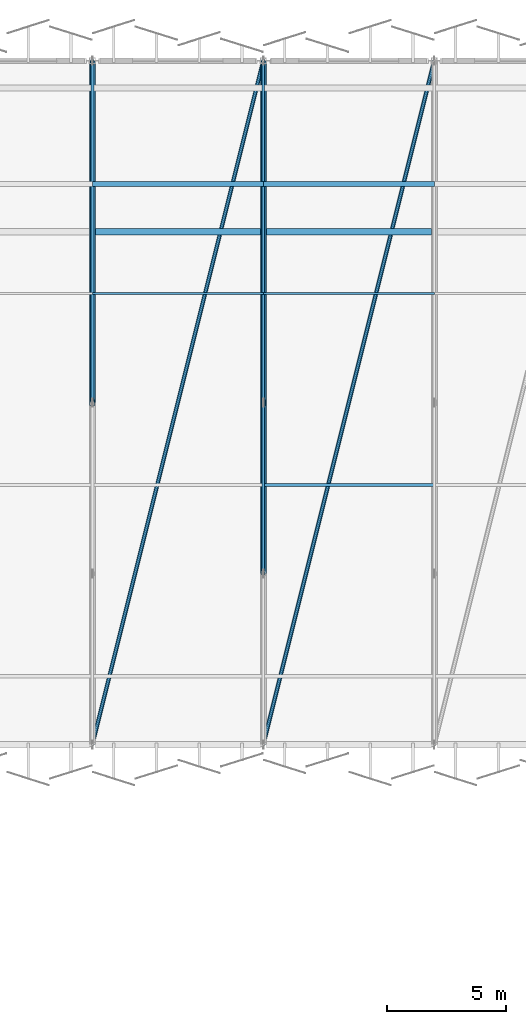
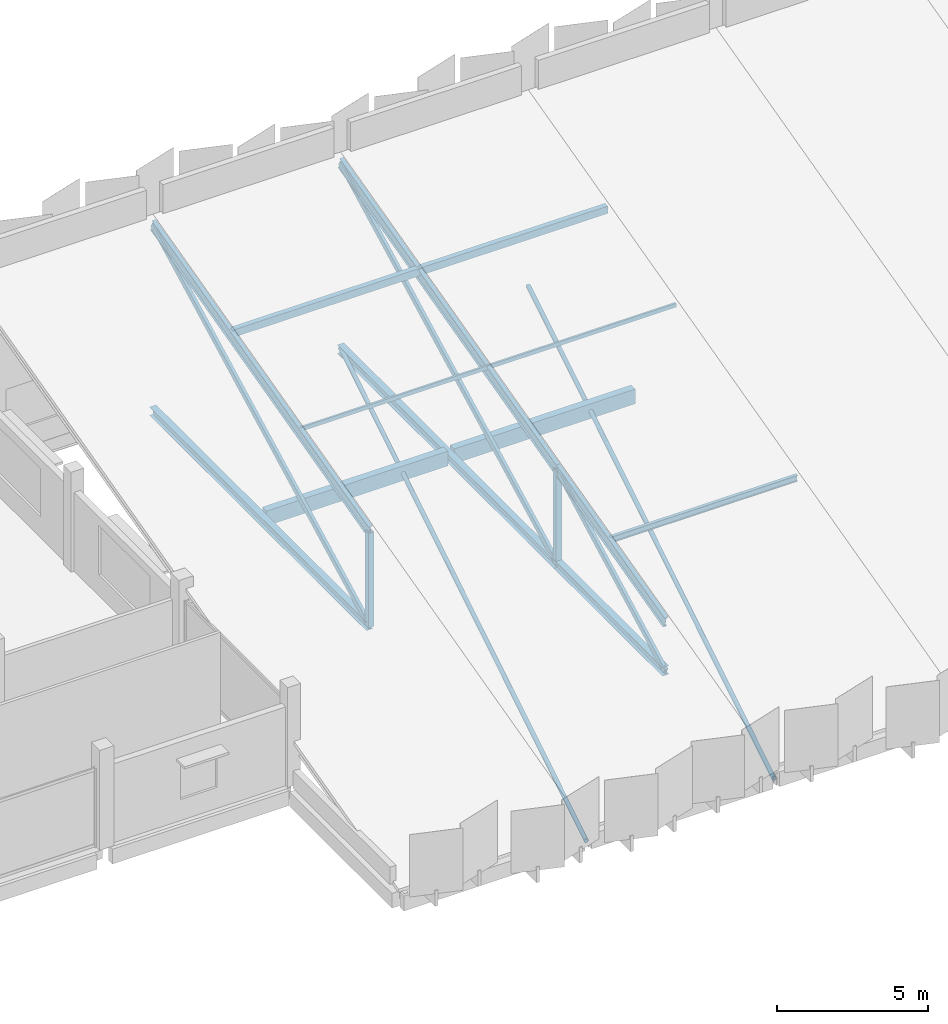
# One storey, part 26 of 108: 18 members, 2 beams.
"""IFC4 building model written with IfcOpenShell, lengths in metres."""

from ifc_helpers import new_model, si_unit, direction, frame, origin, origin_2d, place, context, subcontext, project, spatial, rectangle, hollow_rectangle, hollow_circle, i_section, extrude, material, material_profile, profile_set, type_object, element, save


model = new_model("IFC4")

# Units and contexts
model_context = context("Model", 3, precision=1e-05, world=origin(), true_north=direction((0.0, 1.0)))
body_context = subcontext(model_context, "Body", "Model", "MODEL_VIEW")
ifc_project = project(units=[si_unit("LENGTHUNIT", "METRE"), si_unit("AREAUNIT", "SQUARE_METRE"), si_unit("VOLUMEUNIT", "CUBIC_METRE"), si_unit("PLANEANGLEUNIT", "RADIAN"), si_unit("MASSUNIT", "GRAM", prefix="KILO")], contexts=[model_context])

# Site, building, storey
site_placement = place(None, origin())
site = spatial("IfcSite", under=ifc_project, at=site_placement, CompositionType="ELEMENT")
building_placement = place(site_placement, origin())
building = spatial("IfcBuilding", under=site, at=building_placement, Name="Kangsadwip Square Police Headquarters", CompositionType="ELEMENT")
storey_placement = place(building_placement, frame((0.0, 0.0, 9.449951171875)))
storey = spatial("IfcBuildingStorey", under=building, at=storey_placement, Name="L02", CompositionType="ELEMENT", Elevation=9.449951171875)

# Beams
ifc_material_1 = material(Name="Concrete M40 (40 MPa)", Category="concrete")
ifc_material_profile_1 = material_profile(ifc_material_1, rectangle(XDim=0.280029296875, YDim=0.60009765625, at=origin_2d()), Name="RC SPN 600X280")
ifc_profile_set_1 = profile_set([ifc_material_profile_1], Name="Concrete M40 (40 MPa)")
beam_type = type_object("IfcBeamType", Name="RcSpandrel600x280", PredefinedType="SPANDREL", material=ifc_profile_set_1)
beam_1_placement = place(storey_placement, frame((50.52490234375, 108.0, -0.5400390625), z_axis=(1.0, 0.0, 0.0), x_axis=(0.0, 1.0, 0.0)))
element("IfcBeam", 1, at=beam_1_placement, inside=storey, type_object=beam_type, Name="Beam BM-L02-X-07-15", PredefinedType="SPANDREL", context=body_context, shape_type="SweptSolid", body=[
    extrude(rectangle(XDim=0.280029296875, YDim=0.60009765625, at=origin_2d()), origin(), (0.0, 0.0, 1.0), 6.9501953125),
])
beam_2_placement = place(storey_placement, frame((57.72509765625, 108.0, -0.5400390625), z_axis=(1.0, 0.0, 0.0), x_axis=(0.0, 1.0, 0.0)))
element("IfcBeam", 2, at=beam_2_placement, inside=storey, type_object=beam_type, Name="Beam BM-L02-X-08-15", PredefinedType="SPANDREL", context=body_context, shape_type="SweptSolid", body=[
    extrude(rectangle(XDim=0.280029296875, YDim=0.60009765625, at=origin_2d()), origin(), (0.0, 0.0, 1.0), 6.949951171875),
])

# Members
ifc_material_2 = material(Name="Structural steel IS 2062 E350 (Grade 350, 350 MPa)", Category="steel")
ifc_material_profile_2 = material_profile(ifc_material_2, i_section(OverallWidth=0.125, OverallDepth=0.25, WebThickness=0.0068359375, FlangeThickness=0.012451171875, at=origin_2d()), Name="ISMB 250")
ifc_profile_set_2 = profile_set([ifc_material_profile_2], Name="Structural steel IS 2062 E350 (Grade 350, 350 MPa)")
member_type_1 = type_object("IfcMemberType", Name="RoofPurlinIsmb250", PredefinedType="PURLIN", material=ifc_profile_set_2)
member_1_placement = place(storey_placement, frame((57.60009765625, 97.343994140625, 2.507080078125), z_axis=(1.0, 0.0, 0.0), x_axis=(0.0, 1.0, 0.0)))
element("IfcMember", 3, at=member_1_placement, inside=storey, type_object=member_type_1, Name="Truss Member MEM-L02-0091", PredefinedType="PURLIN", context=body_context, shape_type="SweptSolid", body=[
    extrude(i_section(OverallWidth=0.125, OverallDepth=0.25, WebThickness=0.0068359375, FlangeThickness=0.012451171875, at=origin_2d()), origin(), (0.0, 0.0, 1.0), 7.199951171875),
])
ifc_material_3 = material(Name="Structural steel IS 2062 E350 (Grade 350, 350 MPa)", Category="steel")
ifc_material_profile_3 = material_profile(ifc_material_3, hollow_rectangle(XDim=0.080078125, YDim=0.159912109375, WallThickness=0.006103515625, at=origin_2d()), Name="RHS 160X80X6")
ifc_profile_set_3 = profile_set([ifc_material_profile_3], Name="Structural steel IS 2062 E350 (Grade 350, 350 MPa)")
member_type_2 = type_object("IfcMemberType", Name="RoofPurlinRhs160", PredefinedType="PURLIN", material=ifc_profile_set_3)
member_2_placement = place(storey_placement, frame((50.39990234375, 105.407958984375, 4.6240234375), z_axis=(1.0, 0.0, 0.0), x_axis=(0.0, 1.0, 0.0)))
element("IfcMember", 4, at=member_2_placement, inside=storey, type_object=member_type_2, Name="Truss Member MEM-L02-0086", PredefinedType="PURLIN", context=body_context, shape_type="SweptSolid", body=[
    extrude(hollow_rectangle(XDim=0.080078125, YDim=0.159912109375, WallThickness=0.006103515625, at=origin_2d()), origin(), (0.0, 0.0, 1.0), 7.2001953125),
])
member_3_placement = place(storey_placement, frame((57.60009765625, 105.407958984375, 4.6240234375), z_axis=(1.0, 0.0, 0.0), x_axis=(0.0, 1.0, 0.0)))
element("IfcMember", 5, at=member_3_placement, inside=storey, type_object=member_type_2, Name="Truss Member MEM-L02-0092", PredefinedType="PURLIN", context=body_context, shape_type="SweptSolid", body=[
    extrude(hollow_rectangle(XDim=0.080078125, YDim=0.159912109375, WallThickness=0.006103515625, at=origin_2d()), origin(), (0.0, 0.0, 1.0), 7.199951171875),
])
ifc_material_4 = material(Name="Structural steel IS 2062 E350 (Grade 350, 350 MPa)", Category="steel")
ifc_material_profile_4 = material_profile(ifc_material_4, hollow_rectangle(XDim=0.199951171875, YDim=0.300048828125, WallThickness=0.011962890625, at=origin_2d()), Name="RHS 300X200X12")
ifc_profile_set_4 = profile_set([ifc_material_profile_4], Name="Structural steel IS 2062 E350 (Grade 350, 350 MPa)")
member_type_3 = type_object("IfcMemberType", Name="RoofPurlinRhs300", PredefinedType="PURLIN", material=ifc_profile_set_4)
member_4_placement = place(storey_placement, frame((50.39990234375, 110.01611328125, 5.738037109375), z_axis=(1.0, 0.0, 0.0), x_axis=(0.0, 1.0, 0.0)))
element("IfcMember", 6, at=member_4_placement, inside=storey, type_object=member_type_3, Name="Truss Member MEM-L02-0087", PredefinedType="PURLIN", context=body_context, shape_type="SweptSolid", body=[
    extrude(hollow_rectangle(XDim=0.199951171875, YDim=0.300048828125, WallThickness=0.011962890625, at=origin_2d()), origin(), (0.0, 0.0, 1.0), 7.2001953125),
])
member_5_placement = place(storey_placement, frame((57.60009765625, 110.01611328125, 5.738037109375), z_axis=(1.0, 0.0, 0.0), x_axis=(0.0, 1.0, 0.0)))
element("IfcMember", 7, at=member_5_placement, inside=storey, type_object=member_type_3, Name="Truss Member MEM-L02-0093", PredefinedType="PURLIN", context=body_context, shape_type="SweptSolid", body=[
    extrude(hollow_rectangle(XDim=0.199951171875, YDim=0.300048828125, WallThickness=0.011962890625, at=origin_2d()), origin(), (0.0, 0.0, 1.0), 7.199951171875),
])
ifc_material_5 = material(Name="Structural steel IS 2062 E350 (Grade 350, 350 MPa)", Category="steel")
ifc_material_profile_5 = material_profile(ifc_material_5, hollow_circle(Radius=0.083984375, WallThickness=0.008056640625, at=origin_2d()), Name="CHS 168X8")
ifc_profile_set_5 = profile_set([ifc_material_profile_5], Name="Structural steel IS 2062 E350 (Grade 350, 350 MPa)")
member_type_4 = type_object("IfcMemberType", Name="RoofWindBraceChs168", PredefinedType="BRACE", material=ifc_profile_set_5)
member_6_placement = place(storey_placement, frame((50.39990234375, 86.39990234375, -0.550048828125), z_axis=(0.24254143019, 0.970141048838, 0.0), x_axis=(-0.970141048838, 0.24254143019, 0.0)))
element("IfcMember", 8, at=member_6_placement, inside=storey, type_object=member_type_4, Name="Truss Member MEM-L02-0089", PredefinedType="BRACE", context=body_context, shape_type="SweptSolid", body=[
    extrude(hollow_circle(Radius=0.083984375, WallThickness=0.008056640625, at=origin_2d()), origin(), (0.0, 0.0, 1.0), 29.6865234375),
])
member_7_placement = place(storey_placement, frame((57.60009765625, 86.39990234375, -0.550048828125), z_axis=(0.242533689979, 0.970142983908, 0.0), x_axis=(-0.970142983908, 0.242533689979, 0.0)))
element("IfcMember", 9, at=member_7_placement, inside=storey, type_object=member_type_4, Name="Truss Member MEM-L02-0095", PredefinedType="BRACE", context=body_context, shape_type="SweptSolid", body=[
    extrude(hollow_circle(Radius=0.083984375, WallThickness=0.008056640625, at=origin_2d()), origin(), (0.0, 0.0, 1.0), 29.686279296875),
])
ifc_material_6 = material(Name="Structural steel IS 2062 E350 (Grade 350, 350 MPa)", Category="steel")
ifc_material_profile_6 = material_profile(ifc_material_6, i_section(OverallWidth=0.14990234375, OverallDepth=0.449951171875, WebThickness=0.009521484375, FlangeThickness=0.017333984375, at=origin_2d()), Name="ISMB 450")
ifc_profile_set_6 = profile_set([ifc_material_profile_6], Name="Structural steel IS 2062 E350 (Grade 350, 350 MPa)")
member_type_5 = type_object("IfcMemberType", Name="SawtoothRafterIsmb450", PredefinedType="RAFTER", material=ifc_profile_set_6)
member_8_placement = place(storey_placement, frame((50.39990234375, 100.800048828125, 3.280029296875), z_axis=(0.0, 0.968539651086, 0.248859286091), x_axis=(-1.0, 0.0, 0.0)))
element("IfcMember", 10, at=member_8_placement, inside=storey, type_object=member_type_5, Name="Truss Member MEM-L02-0009", PredefinedType="RAFTER", context=body_context, shape_type="SweptSolid", body=[
    extrude(i_section(OverallWidth=0.14990234375, OverallDepth=0.449951171875, WebThickness=0.009521484375, FlangeThickness=0.017333984375, at=origin_2d()), origin(), (0.0, 0.0, 1.0), 14.86767578125),
])
member_9_placement = place(storey_placement, frame((57.60009765625, 93.60009765625, 1.429931640625), z_axis=(0.0, 0.96853569304, 0.248874689968), x_axis=(-1.0, 0.0, 0.0)))
element("IfcMember", 11, at=member_9_placement, inside=storey, type_object=member_type_5, Name="Truss Member MEM-L02-0020", PredefinedType="RAFTER", context=body_context, shape_type="SweptSolid", body=[
    extrude(i_section(OverallWidth=0.14990234375, OverallDepth=0.449951171875, WebThickness=0.009521484375, FlangeThickness=0.017333984375, at=origin_2d()), origin(), (0.0, 0.0, 1.0), 7.433837890625),
])
member_10_placement = place(storey_placement, frame((57.60009765625, 100.800048828125, 3.280029296875), z_axis=(0.0, 0.968539651086, 0.248859286091), x_axis=(-1.0, 0.0, 0.0)))
element("IfcMember", 12, at=member_10_placement, inside=storey, type_object=member_type_5, Name="Truss Member MEM-L02-0021", PredefinedType="RAFTER", context=body_context, shape_type="SweptSolid", body=[
    extrude(i_section(OverallWidth=0.14990234375, OverallDepth=0.449951171875, WebThickness=0.009521484375, FlangeThickness=0.017333984375, at=origin_2d()), origin(), (0.0, 0.0, 1.0), 14.86767578125),
])
ifc_material_7 = material(Name="Structural steel IS 2062 E350 (Grade 350, 350 MPa)", Category="steel")
ifc_material_profile_7 = material_profile(ifc_material_7, i_section(OverallWidth=0.25, OverallDepth=0.35009765625, WebThickness=0.010009765625, FlangeThickness=0.01171875, at=origin_2d()), Name="ISHB 350")
ifc_profile_set_7 = profile_set([ifc_material_profile_7], Name="Structural steel IS 2062 E350 (Grade 350, 350 MPa)")
member_type_6 = type_object("IfcMemberType", Name="TrussBotChordIshb350", PredefinedType="CHORD", material=ifc_profile_set_7)
member_11_placement = place(storey_placement, frame((50.39990234375, 100.800048828125, -0.550048828125), z_axis=(0.0, 1.0, 0.0), x_axis=(-1.0, 0.0, 0.0)))
element("IfcMember", 13, at=member_11_placement, inside=storey, type_object=member_type_6, Name="Truss Member MEM-L02-0006", PredefinedType="CHORD", context=body_context, shape_type="SweptSolid", body=[
    extrude(i_section(OverallWidth=0.25, OverallDepth=0.35009765625, WebThickness=0.010009765625, FlangeThickness=0.01171875, at=origin_2d()), origin(), (0.0, 0.0, 1.0), 14.39990234375),
])
member_12_placement = place(storey_placement, frame((57.60009765625, 93.60009765625, -0.550048828125), z_axis=(0.0, 1.0, 0.0), x_axis=(-1.0, 0.0, 0.0)))
element("IfcMember", 14, at=member_12_placement, inside=storey, type_object=member_type_6, Name="Truss Member MEM-L02-0017", PredefinedType="CHORD", context=body_context, shape_type="SweptSolid", body=[
    extrude(i_section(OverallWidth=0.25, OverallDepth=0.35009765625, WebThickness=0.010009765625, FlangeThickness=0.01171875, at=origin_2d()), origin(), (0.0, 0.0, 1.0), 7.199951171875),
])
member_13_placement = place(storey_placement, frame((57.60009765625, 100.800048828125, -0.550048828125), z_axis=(0.0, 1.0, 0.0), x_axis=(-1.0, 0.0, 0.0)))
element("IfcMember", 15, at=member_13_placement, inside=storey, type_object=member_type_6, Name="Truss Member MEM-L02-0018", PredefinedType="CHORD", context=body_context, shape_type="SweptSolid", body=[
    extrude(i_section(OverallWidth=0.25, OverallDepth=0.35009765625, WebThickness=0.010009765625, FlangeThickness=0.01171875, at=origin_2d()), origin(), (0.0, 0.0, 1.0), 14.39990234375),
])
ifc_material_8 = material(Name="Structural steel IS 2062 E350 (Grade 350, 350 MPa)", Category="steel")
ifc_material_profile_8 = material_profile(ifc_material_8, hollow_rectangle(XDim=0.1201171875, YDim=0.239990234375, WallThickness=0.008056640625, at=origin_2d()), Name="RHS 240X120X8")
ifc_profile_set_8 = profile_set([ifc_material_profile_8], Name="Structural steel IS 2062 E350 (Grade 350, 350 MPa)")
member_type_7 = type_object("IfcMemberType", Name="TrussBraceRhs240", PredefinedType="BRACE", material=ifc_profile_set_8)
member_14_placement = place(storey_placement, frame((50.39990234375, 100.800048828125, -0.550048828125), z_axis=(0.0, 0.886154500074, 0.46338990278), x_axis=(-1.0, 0.0, 0.0)))
element("IfcMember", 16, at=member_14_placement, inside=storey, type_object=member_type_7, Name="Truss Member MEM-L02-0015", PredefinedType="BRACE", context=body_context, shape_type="SweptSolid", body=[
    extrude(hollow_rectangle(XDim=0.1201171875, YDim=0.239990234375, WallThickness=0.008056640625, at=origin_2d()), origin(), (0.0, 0.0, 1.0), 16.249755859375),
])
member_15_placement = place(storey_placement, frame((57.60009765625, 93.60009765625, -0.550048828125), z_axis=(0.0, 0.882856279608, 0.469643257756), x_axis=(-1.0, 0.0, 0.0)))
element("IfcMember", 17, at=member_15_placement, inside=storey, type_object=member_type_7, Name="Truss Member MEM-L02-0026", PredefinedType="BRACE", context=body_context, shape_type="SweptSolid", body=[
    extrude(hollow_rectangle(XDim=0.1201171875, YDim=0.239990234375, WallThickness=0.008056640625, at=origin_2d()), origin(), (0.0, 0.0, 1.0), 8.1552734375),
])
member_16_placement = place(storey_placement, frame((57.60009765625, 100.800048828125, -0.550048828125), z_axis=(0.0, 0.886154500074, 0.46338990278), x_axis=(-1.0, 0.0, 0.0)))
element("IfcMember", 18, at=member_16_placement, inside=storey, type_object=member_type_7, Name="Truss Member MEM-L02-0027", PredefinedType="BRACE", context=body_context, shape_type="SweptSolid", body=[
    extrude(hollow_rectangle(XDim=0.1201171875, YDim=0.239990234375, WallThickness=0.008056640625, at=origin_2d()), origin(), (0.0, 0.0, 1.0), 16.249755859375),
])
ifc_material_9 = material(Name="Structural steel IS 2062 E350 (Grade 350, 350 MPa)", Category="steel")
ifc_material_profile_9 = material_profile(ifc_material_9, hollow_rectangle(XDim=0.219970703125, YDim=0.219970703125, WallThickness=0.010009765625, at=origin_2d()), Name="SHS 220X220X10")
ifc_profile_set_9 = profile_set([ifc_material_profile_9], Name="Structural steel IS 2062 E350 (Grade 350, 350 MPa)")
member_type_8 = type_object("IfcMemberType", Name="TrussPostShs220", PredefinedType="POST", material=ifc_profile_set_9)
for number, where, z_axis, x_axis, name in (
    (19, (50.39990234375, 100.800048828125, -0.550048828125), (0.0, 0.0, 1.0), (1.0, 0.0, 0.0), "Truss Member MEM-L02-0011"),
    (20, (57.60009765625, 100.800048828125, -0.550048828125), (0.0, 0.0, 1.0), (1.0, 0.0, 0.0), "Truss Member MEM-L02-0023"),
):
    element("IfcMember", number, at=place(storey_placement, frame(where, z_axis=z_axis, x_axis=x_axis)), inside=storey, type_object=member_type_8, Name=name, PredefinedType="POST", context=body_context, shape_type="SweptSolid", body=[
        extrude(hollow_rectangle(XDim=0.219970703125, YDim=0.219970703125, WallThickness=0.010009765625, at=origin_2d()), origin(), (0.0, 0.0, 1.0), 3.830078125),
    ])

save(model, "model.ifc")
